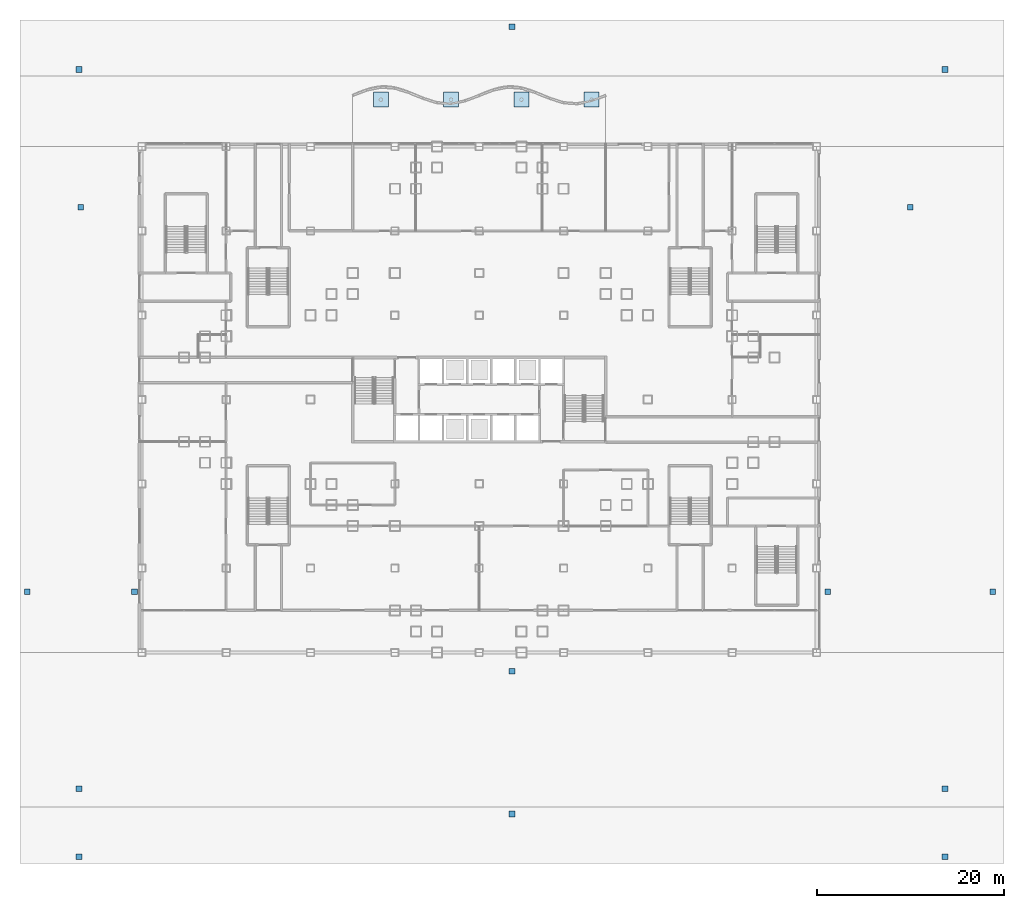
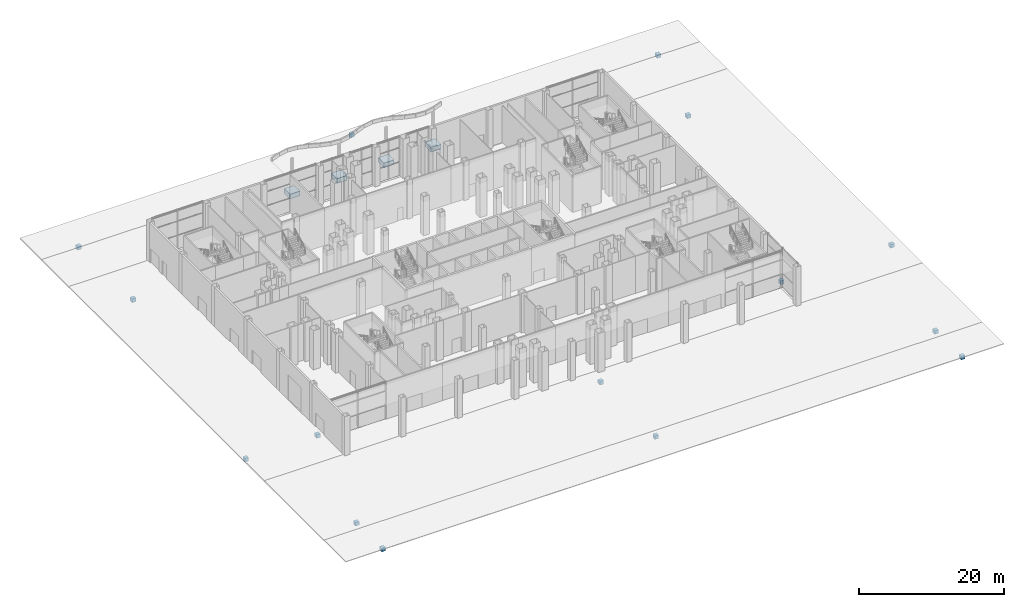
# One storey, part 1 of 38: 19 footings.
"""IFC4 building model written with IfcOpenShell, lengths in metres."""

from ifc_helpers import new_model, si_unit, direction, frame, origin, origin_2d, place, context, subcontext, project, spatial, rectangle, extrude, material, type_object, element, save


model = new_model("IFC4")

# Units and contexts
model_context = context("Model", 3, precision=1e-05, world=origin(), true_north=direction((0.0, 1.0)))
body_context = subcontext(model_context, "Body", "Model", "MODEL_VIEW")
ifc_project = project(units=[si_unit("LENGTHUNIT", "METRE"), si_unit("AREAUNIT", "SQUARE_METRE"), si_unit("VOLUMEUNIT", "CUBIC_METRE"), si_unit("PLANEANGLEUNIT", "RADIAN"), si_unit("MASSUNIT", "GRAM", prefix="KILO")], contexts=[model_context])

# Site, building, storey
site_placement = place(None, origin())
site = spatial("IfcSite", under=ifc_project, at=site_placement, CompositionType="ELEMENT")
building_placement = place(site_placement, origin())
building = spatial("IfcBuilding", under=site, at=building_placement, Name="Caravel Reach Hotel and Residences", CompositionType="ELEMENT")
storey_placement = place(building_placement, origin())
storey = spatial("IfcBuildingStorey", under=building, at=storey_placement, Name="L00", CompositionType="ELEMENT", Elevation=0.0)

# Footings
ifc_material_1 = material(Name="Concrete C35", Category="concrete")
footing_type_1 = type_object("IfcFootingType", Name="CN3 Canopy pad footing", PredefinedType="PAD_FOOTING", material=ifc_material_1)
for number, where, z_axis, x_axis, name in (
    (1, (21.0, 59.0, -1.0), (0.0, 0.0, 1.0), (1.0, 0.0, 0.0), "Canopy footing 1"),
    (2, (28.5, 59.0, -1.0), (0.0, 0.0, 1.0), (1.0, 0.0, 0.0), "Canopy footing 2"),
    (3, (36.0, 59.0, -1.0), (0.0, 0.0, 1.0), (1.0, 0.0, 0.0), "Canopy footing 3"),
    (4, (43.5, 59.0, -1.0), (0.0, 0.0, 1.0), (1.0, 0.0, 0.0), "Canopy footing 4"),
):
    element("IfcFooting", number, at=place(storey_placement, frame(where, z_axis=z_axis, x_axis=x_axis)), inside=storey, type_object=footing_type_1, Name=name, PredefinedType="PAD_FOOTING", context=body_context, shape_type="SweptSolid", body=[
        extrude(rectangle(XDim=1.60009765625, YDim=1.60009765625, at=origin_2d()), origin(), (0.0, 0.0, 1.0), 0.800048828125),
    ])
ifc_material_2 = material(Name="Concrete C30/37", Category="concrete")
footing_type_2 = type_object("IfcFootingType", Name="PV4 Paving pad footing", PredefinedType="PAD_FOOTING", material=ifc_material_2)
for number, where, z_axis, x_axis, name in (
    (5, (-11.199951171875, -14.52001953125, -0.800048828125), (0.0, 0.0, 1.0), (1.0, 0.0, 0.0), "Paving pad footing promenade 1"),
    (6, (81.199951171875, -14.52001953125, -0.800048828125), (0.0, 0.0, 1.0), (1.0, 0.0, 0.0), "Paving pad footing promenade 2"),
    (7, (35.0, -1.97998046875, -0.800048828125), (0.0, 0.0, 1.0), (1.0, 0.0, 0.0), "Paving pad footing promenade 3"),
    (8, (-11.199951171875, 62.219970703125, -0.800048828125), (0.0, 0.0, 1.0), (1.0, 0.0, 0.0), "Paving pad footing court 1"),
    (9, (81.199951171875, 62.219970703125, -0.800048828125), (0.0, 0.0, 1.0), (1.0, 0.0, 0.0), "Paving pad footing court 2"),
    (10, (35.0, 66.780029296875, -0.800048828125), (0.0, 0.0, 1.0), (1.0, 0.0, 0.0), "Paving pad footing court 3"),
    (11, (-16.719970703125, 6.47998046875, -0.800048828125), (0.0, 0.0, 1.0), (1.0, 0.0, 0.0), "Paving pad footing west 1"),
    (12, (-5.280029296875, 6.47998046875, -0.800048828125), (0.0, 0.0, 1.0), (1.0, 0.0, 0.0), "Paving pad footing west 2"),
    (13, (-11.0, 47.52001953125, -0.800048828125), (0.0, 0.0, 1.0), (1.0, 0.0, 0.0), "Paving pad footing west 3"),
    (14, (68.699951171875, 6.47998046875, -0.800048828125), (0.0, 0.0, 1.0), (1.0, 0.0, 0.0), "Paving pad footing east 1"),
    (15, (86.300048828125, 6.47998046875, -0.800048828125), (0.0, 0.0, 1.0), (1.0, 0.0, 0.0), "Paving pad footing east 2"),
    (16, (77.5, 47.52001953125, -0.800048828125), (0.0, 0.0, 1.0), (1.0, 0.0, 0.0), "Paving pad footing east 3"),
):
    element("IfcFooting", number, at=place(storey_placement, frame(where, z_axis=z_axis, x_axis=x_axis)), inside=storey, type_object=footing_type_2, Name=name, PredefinedType="PAD_FOOTING", context=body_context, shape_type="SweptSolid", body=[
        extrude(rectangle(XDim=0.60009765625, YDim=0.60009765625, at=origin_2d()), origin(), (0.0, 0.0, 1.0), 0.60009765625),
    ])
ifc_material_3 = material(Name="Concrete C30/37", Category="concrete")
footing_type_3 = type_object("IfcFootingType", Name="PV5 Boardwalk pad footing", PredefinedType="PAD_FOOTING", material=ifc_material_3)
for number, where, z_axis, x_axis, name in (
    (17, (-11.199951171875, -21.780029296875, -0.719970703125), (0.0, 0.0, 1.0), (1.0, 0.0, 0.0), "Boardwalk pad footing boardwalk 1"),
    (18, (81.199951171875, -21.780029296875, -0.719970703125), (0.0, 0.0, 1.0), (1.0, 0.0, 0.0), "Boardwalk pad footing boardwalk 2"),
    (19, (35.0, -17.219970703125, -0.719970703125), (0.0, 0.0, 1.0), (1.0, 0.0, 0.0), "Boardwalk pad footing boardwalk 3"),
):
    element("IfcFooting", number, at=place(storey_placement, frame(where, z_axis=z_axis, x_axis=x_axis)), inside=storey, type_object=footing_type_3, Name=name, PredefinedType="PAD_FOOTING", context=body_context, shape_type="SweptSolid", body=[
        extrude(rectangle(XDim=0.60009765625, YDim=0.60009765625, at=origin_2d()), origin(), (0.0, 0.0, 1.0), 0.60009765625),
    ])

save(model, "model.ifc")
